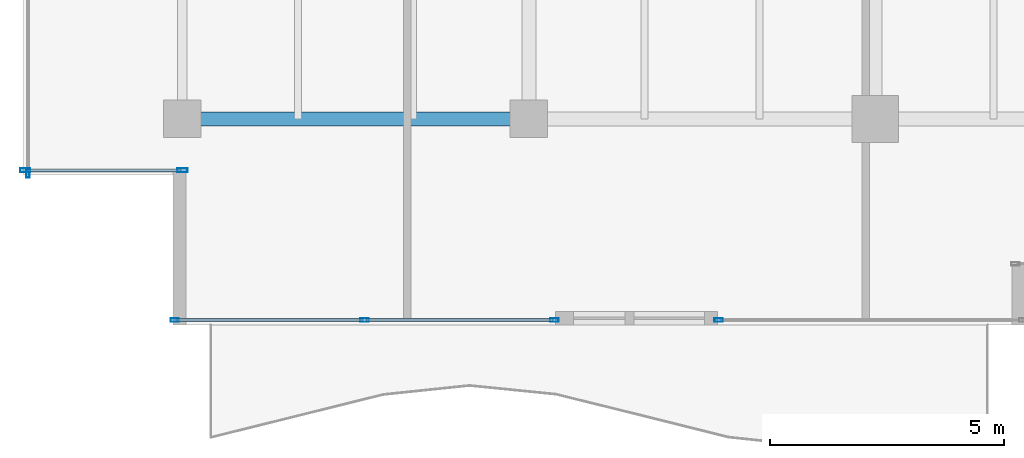
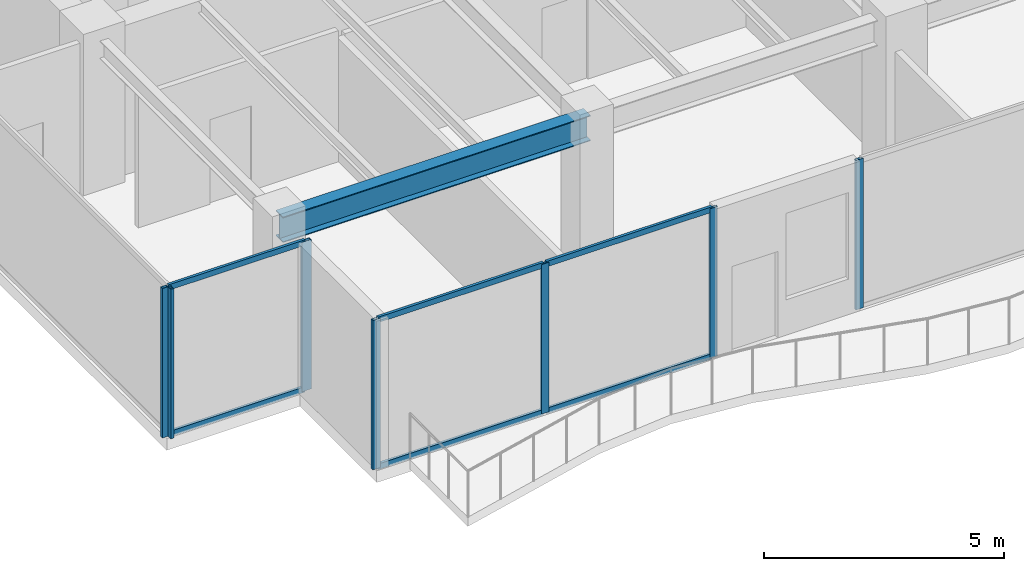
# One storey, part 4 of 34: 13 members, 1 beam, 4 elements without a shape of their own.
"""IFC4 building model written with IfcOpenShell, lengths in metres."""

from ifc_helpers import new_model, si_unit, direction, frame, origin, origin_2d, place, context, subcontext, project, spatial, hollow_rectangle, i_section, extrude, source, transform, mapped, material, layer, layer_set, material_profile, profile_set, type_object, type_shapes, element, aggregate, save


model = new_model("IFC4")

# Units and contexts
model_context = context("Model", 3, precision=1e-05, world=origin(), true_north=direction((0.0, 1.0)))
body_context = subcontext(model_context, "Body", "Model", "MODEL_VIEW")
ifc_project = project(units=[si_unit("LENGTHUNIT", "METRE"), si_unit("AREAUNIT", "SQUARE_METRE"), si_unit("VOLUMEUNIT", "CUBIC_METRE"), si_unit("PLANEANGLEUNIT", "RADIAN"), si_unit("MASSUNIT", "GRAM", prefix="KILO")], contexts=[model_context])

# Site, building, storey
site_placement = place(None, origin())
site = spatial("IfcSite", under=ifc_project, at=site_placement, CompositionType="ELEMENT")
building_placement = place(site_placement, origin())
building = spatial("IfcBuilding", under=site, at=building_placement, Name="Haelvirn Gate Laboratories", CompositionType="ELEMENT")
storey_placement = place(building_placement, frame((0.0, 0.0, 205.5)))
storey = spatial("IfcBuildingStorey", under=building, at=storey_placement, Name="L49", CompositionType="ELEMENT", Elevation=205.5)

# Beam
ifc_material_1 = material(Name="Steel SM355", Category="steel")
ifc_material_profile_1 = material_profile(ifc_material_1, i_section(OverallWidth=0.300048828125, OverallDepth=0.64990234375, WebThickness=0.012939453125, FlangeThickness=0.02197265625, at=origin_2d()), Name="H-650x300x13x22")
ifc_profile_set_1 = profile_set([ifc_material_profile_1], Name="Steel SM355")
beam_type = type_object("IfcBeamType", Name="BM-G-650", PredefinedType="BEAM", material=ifc_profile_set_1)
shared_shape_1 = source(origin(), body_context, "Body", "SweptSolid", [
    extrude(i_section(OverallWidth=0.300048828125, OverallDepth=0.64990234375, WebThickness=0.012939453125, FlangeThickness=0.02197265625, at=origin_2d()), origin(), (0.0, 0.0, 1.0), 7.400146484375),
])
type_shapes(beam_type, [shared_shape_1])
beam_placement = place(storey_placement, frame((7.39990234375, 7.0, 3.47509765625), z_axis=(1.0, 0.0, 0.0), x_axis=(0.0, 1.0, 0.0)))
element("IfcBeam", 1, at=beam_placement, inside=storey, type_object=beam_type, Name="L49 Primary Girder Y7.0 (7.4-14.8)", PredefinedType="BEAM", context=body_context, shape_type="MappedRepresentation", body=[
    mapped(shared_shape_1, transform((0.0, 0.0, 0.0), scale=1.0)),
])

# Curtain wall, members
ifc_material_2 = material(Name="Anodised bronze unitised aluminium & triple low-E glass", Category="aluminium")
ifc_layer_1 = layer(ifc_material_2, 0.181884765625, Name="CW-SYS-5")
ifc_layer_set_1 = layer_set([ifc_layer_1], Name="Anodised bronze unitised aluminium & triple low-E glass")
curtain_wall_type_1 = type_object("IfcCurtainWallType", Name="CW-SYS-5", PredefinedType="NOTDEFINED", material=ifc_layer_set_1)
curtain_wall_1_placement = place(storey_placement, origin())
curtain_wall_1 = element("IfcCurtainWall", 2, at=curtain_wall_1_placement, inside=storey, type_object=curtain_wall_type_1, Name="L49 Unitised Curtain Wall CW-L49-P0-E18-1", PredefinedType="NOTDEFINED")
ifc_material_3 = material(Name="Extruded aluminium 6063-T6 (anodised bronze)", Category="aluminium")
ifc_material_profile_2 = material_profile(ifc_material_3, hollow_rectangle(XDim=0.06494140625, YDim=0.139892578125, WallThickness=0.00390625, at=origin_2d()), Name="CWT-140x65x4")
ifc_profile_set_2 = profile_set([ifc_material_profile_2], Name="Extruded aluminium 6063-T6 (anodised bronze)")
member_type_1 = type_object("IfcMemberType", Name="CWT-T140", PredefinedType="USERDEFINED", material=ifc_profile_set_2)
shared_shape_2 = source(origin(), body_context, "Body", "SweptSolid", [
    extrude(hollow_rectangle(XDim=0.06494140625, YDim=0.139892578125, WallThickness=0.00390625, at=origin_2d()), origin(), (0.0, 0.0, 1.0), 3.280029296875),
])
member_1_placement = place(storey_placement, frame((4.080078125, 5.89990234375, 0.032470703125), z_axis=(1.0, 0.0, 0.0), x_axis=(0.0, 1.0, 0.0)))
member_1 = element("IfcMember", 3, at=member_1_placement, type_object=member_type_1, Name="CW5 transom 1.1", ObjectType="TRANSOM", PredefinedType="USERDEFINED", context=body_context, shape_type="MappedRepresentation", body=[
    mapped(shared_shape_2, transform((0.0, 0.0, 0.0), scale=1.0)),
])
member_2_placement = place(storey_placement, frame((4.080078125, 5.89990234375, 3.767578125), z_axis=(1.0, 0.0, 0.0), x_axis=(0.0, 1.0, 0.0)))
member_2 = element("IfcMember", 4, at=member_2_placement, type_object=member_type_1, Name="CW5 transom 1.2", ObjectType="TRANSOM", PredefinedType="USERDEFINED", context=body_context, shape_type="MappedRepresentation", body=[
    mapped(shared_shape_2, transform((0.0, 0.0, 0.0), scale=1.0)),
])

ifc_layer_2 = layer(ifc_material_2, 0.176025390625, Name="CW-SYS-4")
ifc_layer_set_2 = layer_set([ifc_layer_2], Name="Anodised bronze unitised aluminium & triple low-E glass")
curtain_wall_type_2 = type_object("IfcCurtainWallType", Name="CW-SYS-4", PredefinedType="NOTDEFINED", material=ifc_layer_set_2)
curtain_wall_2_placement = place(storey_placement, origin())
curtain_wall_2 = element("IfcCurtainWall", 5, at=curtain_wall_2_placement, inside=storey, type_object=curtain_wall_type_2, Name="L49 Unitised Curtain Wall CW-L49-P0-E00-1", PredefinedType="NOTDEFINED")
ifc_material_profile_3 = material_profile(ifc_material_3, hollow_rectangle(XDim=0.070068359375, YDim=0.179931640625, WallThickness=0.0048828125, at=origin_2d()), Name="CWM-180x70x5")
ifc_profile_set_3 = profile_set([ifc_material_profile_3], Name="Extruded aluminium 6063-T6 (anodised bronze)")
member_type_2 = type_object("IfcMemberType", Name="CWM-T180", PredefinedType="MULLION", material=ifc_profile_set_3)
shared_shape_3 = source(origin(), body_context, "Body", "SweptSolid", [
    extrude(hollow_rectangle(XDim=0.070068359375, YDim=0.179931640625, WallThickness=0.0048828125, at=origin_2d()), origin(), (0.0, 0.0, 1.0), 3.800048828125),
])
type_shapes(member_type_2, [shared_shape_3])
member_3_placement = place(storey_placement, frame((7.235107421875, 2.699951171875, 0.0), z_axis=(0.0, 0.0, 1.0), x_axis=(0.0, 1.0, 0.0)))
member_3 = element("IfcMember", 6, at=member_3_placement, type_object=member_type_2, Name="CW4 mullion 1", PredefinedType="MULLION", context=body_context, shape_type="MappedRepresentation", body=[
    mapped(shared_shape_3, transform((0.0, 0.0, 0.0), scale=1.0)),
])
member_4_placement = place(storey_placement, frame((11.2900390625, 2.699951171875, 0.0), z_axis=(0.0, 0.0, 1.0), x_axis=(0.0, 1.0, 0.0)))
member_4 = element("IfcMember", 7, at=member_4_placement, type_object=member_type_2, Name="CW4 mullion 2", PredefinedType="MULLION", context=body_context, shape_type="MappedRepresentation", body=[
    mapped(shared_shape_3, transform((0.0, 0.0, 0.0), scale=1.0)),
])
member_5_placement = place(storey_placement, frame((15.344970703125, 2.699951171875, 0.0), z_axis=(0.0, 0.0, 1.0), x_axis=(0.0, 1.0, 0.0)))
member_5 = element("IfcMember", 8, at=member_5_placement, type_object=member_type_2, Name="CW4 mullion 3", PredefinedType="MULLION", context=body_context, shape_type="MappedRepresentation", body=[
    mapped(shared_shape_3, transform((0.0, 0.0, 0.0), scale=1.0)),
])

# Curtain wall, member
curtain_wall_3_placement = place(storey_placement, origin())
curtain_wall_3 = element("IfcCurtainWall", 9, at=curtain_wall_3_placement, inside=storey, type_object=curtain_wall_type_2, Name="L49 Unitised Curtain Wall CW-L49-P0-E00-2", PredefinedType="NOTDEFINED")
member_6_placement = place(storey_placement, frame((18.85498046875, 2.699951171875, 0.0), z_axis=(0.0, 0.0, 1.0), x_axis=(0.0, 1.0, 0.0)))
member_6 = element("IfcMember", 10, at=member_6_placement, type_object=member_type_2, Name="CW4 mullion 1", PredefinedType="MULLION", context=body_context, shape_type="MappedRepresentation", body=[
    mapped(shared_shape_3, transform((0.0, 0.0, 0.0), scale=1.0)),
])
aggregate(curtain_wall_3, [member_6])

curtain_wall_4_placement = place(storey_placement, origin())
curtain_wall_4 = element("IfcCurtainWall", 11, at=curtain_wall_4_placement, inside=storey, type_object=curtain_wall_type_2, Name="L49 Unitised Curtain Wall CW-L49-P0-E17", PredefinedType="NOTDEFINED")
member_7_placement = place(storey_placement, frame((4.10009765625, 5.8349609375, 0.0), z_axis=(0.0, 0.0, 1.0), x_axis=(1.0, 0.0, 0.0)))
member_7 = element("IfcMember", 12, at=member_7_placement, type_object=member_type_2, Name="CW4 mullion 3", PredefinedType="MULLION", context=body_context, shape_type="MappedRepresentation", body=[
    mapped(shared_shape_3, transform((0.0, 0.0, 0.0), scale=1.0)),
])
aggregate(curtain_wall_4, [member_7])

# Member
ifc_material_profile_4 = material_profile(ifc_material_3, hollow_rectangle(XDim=0.080078125, YDim=0.219970703125, WallThickness=0.006103515625, at=origin_2d()), Name="CWM-220x80x6")
ifc_profile_set_4 = profile_set([ifc_material_profile_4], Name="Extruded aluminium 6063-T6 (anodised bronze)")
member_type_3 = type_object("IfcMemberType", Name="CWM-T220", PredefinedType="MULLION", material=ifc_profile_set_4)
shared_shape_4 = source(origin(), body_context, "Body", "SweptSolid", [
    extrude(hollow_rectangle(XDim=0.080078125, YDim=0.219970703125, WallThickness=0.006103515625, at=origin_2d()), origin(), (0.0, 0.0, 1.0), 3.800048828125),
])
type_shapes(member_type_3, [shared_shape_4])
member_8_placement = place(storey_placement, frame((4.0400390625, 5.89990234375, 0.0), z_axis=(0.0, 0.0, 1.0), x_axis=(0.0, 1.0, 0.0)))
member_8 = element("IfcMember", 13, at=member_8_placement, type_object=member_type_3, Name="CW5 mullion 1", PredefinedType="MULLION", context=body_context, shape_type="MappedRepresentation", body=[
    mapped(shared_shape_4, transform((0.0, 0.0, 0.0), scale=1.0)),
])

member_9_placement = place(storey_placement, frame((7.39990234375, 5.89990234375, 0.0), z_axis=(0.0, 0.0, 1.0), x_axis=(0.0, 1.0, 0.0)))
member_9 = element("IfcMember", 14, at=member_9_placement, type_object=member_type_3, Name="CW5 mullion 2", PredefinedType="MULLION", context=body_context, shape_type="MappedRepresentation", body=[
    mapped(shared_shape_4, transform((0.0, 0.0, 0.0), scale=1.0)),
])

aggregate(curtain_wall_1, [member_8, member_9, member_1, member_2])

shared_shape_5 = source(origin(), body_context, "Body", "SweptSolid", [
    extrude(hollow_rectangle(XDim=0.06494140625, YDim=0.139892578125, WallThickness=0.00390625, at=origin_2d()), origin(), (0.0, 0.0, 1.0), 3.98486328125),
])
member_10_placement = place(storey_placement, frame((7.27001953125, 2.699951171875, 0.032470703125), z_axis=(1.0, 0.0, 0.0), x_axis=(0.0, 1.0, 0.0)))
member_10 = element("IfcMember", 15, at=member_10_placement, type_object=member_type_1, Name="CW4 transom 1.1", ObjectType="TRANSOM", PredefinedType="USERDEFINED", context=body_context, shape_type="MappedRepresentation", body=[
    mapped(shared_shape_5, transform((0.0, 0.0, 0.0), scale=1.0)),
])

member_11_placement = place(storey_placement, frame((7.27001953125, 2.699951171875, 3.767578125), z_axis=(1.0, 0.0, 0.0), x_axis=(0.0, 1.0, 0.0)))
member_11 = element("IfcMember", 16, at=member_11_placement, type_object=member_type_1, Name="CW4 transom 1.2", ObjectType="TRANSOM", PredefinedType="USERDEFINED", context=body_context, shape_type="MappedRepresentation", body=[
    mapped(shared_shape_5, transform((0.0, 0.0, 0.0), scale=1.0)),
])

shared_shape_6 = source(origin(), body_context, "Body", "SweptSolid", [
    extrude(hollow_rectangle(XDim=0.06494140625, YDim=0.139892578125, WallThickness=0.00390625, at=origin_2d()), origin(), (0.0, 0.0, 1.0), 3.985107421875),
])
type_shapes(member_type_1, [shared_shape_2, shared_shape_5, shared_shape_6])
member_12_placement = place(storey_placement, frame((11.324951171875, 2.699951171875, 0.032470703125), z_axis=(1.0, 0.0, 0.0), x_axis=(0.0, 1.0, 0.0)))
member_12 = element("IfcMember", 17, at=member_12_placement, type_object=member_type_1, Name="CW4 transom 2.1", ObjectType="TRANSOM", PredefinedType="USERDEFINED", context=body_context, shape_type="MappedRepresentation", body=[
    mapped(shared_shape_6, transform((0.0, 0.0, 0.0), scale=1.0)),
])

member_13_placement = place(storey_placement, frame((11.324951171875, 2.699951171875, 3.767578125), z_axis=(1.0, 0.0, 0.0), x_axis=(0.0, 1.0, 0.0)))
member_13 = element("IfcMember", 18, at=member_13_placement, type_object=member_type_1, Name="CW4 transom 2.2", ObjectType="TRANSOM", PredefinedType="USERDEFINED", context=body_context, shape_type="MappedRepresentation", body=[
    mapped(shared_shape_6, transform((0.0, 0.0, 0.0), scale=1.0)),
])

aggregate(curtain_wall_2, [member_3, member_4, member_5, member_10, member_11, member_12, member_13])

save(model, "model.ifc")
